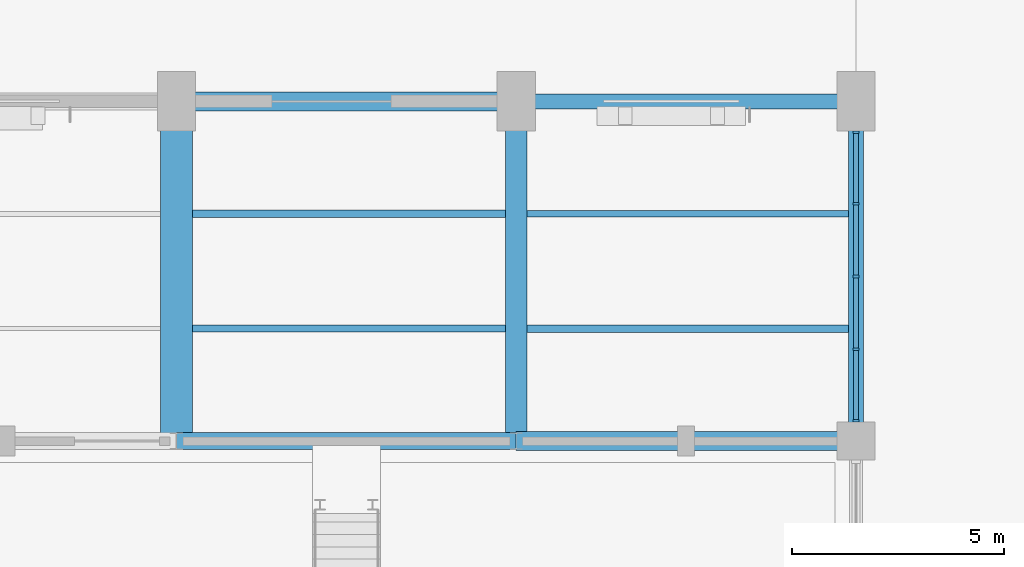
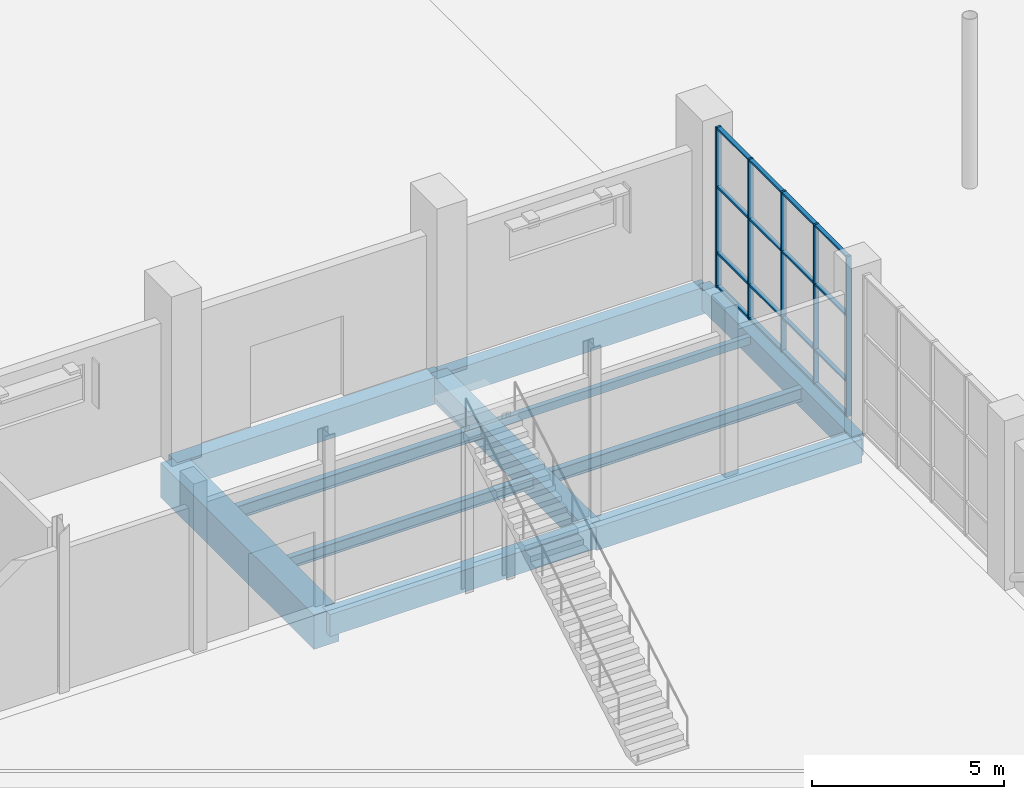
# One storey, part 25 of 123: 21 members, 11 beams, 1 element without a shape of its own.
"""IFC4 building model written with IfcOpenShell, lengths in metres."""

from ifc_helpers import new_model, si_unit, direction, frame, origin, origin_2d, place, context, subcontext, project, spatial, rectangle, hollow_rectangle, i_section, extrude, material, material_profile, profile_set, type_object, element, aggregate, save


model = new_model("IFC4")

# Units and contexts
model_context = context("Model", 3, precision=1e-05, world=origin(), true_north=direction((0.0, 1.0)))
body_context = subcontext(model_context, "Body", "Model", "MODEL_VIEW")
ifc_project = project(units=[si_unit("LENGTHUNIT", "METRE"), si_unit("AREAUNIT", "SQUARE_METRE"), si_unit("VOLUMEUNIT", "CUBIC_METRE"), si_unit("PLANEANGLEUNIT", "RADIAN"), si_unit("MASSUNIT", "GRAM", prefix="KILO")], contexts=[model_context])

# Site, building, storey
site_placement = place(None, origin())
site = spatial("IfcSite", under=ifc_project, at=site_placement, CompositionType="ELEMENT")
building_placement = place(site_placement, origin())
building = spatial("IfcBuilding", under=site, at=building_placement, Name="Tenunan Teduh Sports Hall", CompositionType="ELEMENT")
storey_placement = place(building_placement, origin())
storey = spatial("IfcBuildingStorey", under=building, at=storey_placement, Name="L00", CompositionType="ELEMENT", Elevation=0.0)

# Beams
ifc_material_1 = material(Name="Concrete C40/50", Category="concrete")
ifc_material_profile_1 = material_profile(ifc_material_1, rectangle(XDim=0.35009765625, YDim=0.699951171875, at=origin_2d()), Name="RCB 350x700")
ifc_profile_set_1 = profile_set([ifc_material_profile_1], Name="Concrete C40/50")
beam_type_1 = type_object("IfcBeamType", Name="BM-RC-350x700", PredefinedType="BEAM", material=ifc_profile_set_1)
beam_1_placement = place(storey_placement, frame((54.0, 38.0, -0.669921875), z_axis=(0.0, 1.0, 0.0), x_axis=(-1.0, 0.0, 0.0)))
element("IfcBeam", 1, at=beam_1_placement, inside=storey, type_object=beam_type_1, Name="BM-B-06-L00-0804", PredefinedType="BEAM", context=body_context, shape_type="SweptSolid", body=[
    extrude(rectangle(XDim=0.35009765625, YDim=0.699951171875, at=origin_2d()), origin(), (0.0, 0.0, 1.0), 8.0),
])
ifc_material_2 = material(Name="Concrete C40/50", Category="concrete")
ifc_material_profile_2 = material_profile(ifc_material_2, rectangle(XDim=0.39990234375, YDim=0.699951171875, at=origin_2d()), Name="RCB 400x700")
ifc_profile_set_2 = profile_set([ifc_material_profile_2], Name="Concrete C40/50")
beam_type_2 = type_object("IfcBeamType", Name="BM-RC-400x700", PredefinedType="BEAM", material=ifc_profile_set_2)
beam_2_placement = place(storey_placement, frame((38.0, 38.0, -0.669921875), z_axis=(1.0, 0.0, 0.0), x_axis=(0.0, 1.0, 0.0)))
element("IfcBeam", 2, at=beam_2_placement, inside=storey, type_object=beam_type_2, Name="BM-B-08-L00-0641", PredefinedType="BEAM", context=body_context, shape_type="SweptSolid", body=[
    extrude(rectangle(XDim=0.39990234375, YDim=0.699951171875, at=origin_2d()), origin(), (0.0, 0.0, 1.0), 8.0),
])
ifc_material_3 = material(Name="Concrete C40/50", Category="concrete")
ifc_material_profile_3 = material_profile(ifc_material_3, rectangle(XDim=0.449951171875, YDim=0.75, at=origin_2d()), Name="RCB 450x750")
ifc_profile_set_3 = profile_set([ifc_material_profile_3], Name="Concrete C40/50")
beam_type_3 = type_object("IfcBeamType", Name="BM-RC-450x750", PredefinedType="BEAM", material=ifc_profile_set_3)
beam_3_placement = place(storey_placement, frame((46.0, 38.0, -0.695068359375), z_axis=(1.0, 0.0, 0.0), x_axis=(0.0, 1.0, 0.0)))
element("IfcBeam", 3, at=beam_3_placement, inside=storey, type_object=beam_type_3, Name="BM-B-11-L00-0642", PredefinedType="BEAM", context=body_context, shape_type="SweptSolid", body=[
    extrude(rectangle(XDim=0.449951171875, YDim=0.75, at=origin_2d()), origin(), (0.0, 0.0, 1.0), 8.0),
])
ifc_material_4 = material(Name="Concrete C40/50", Category="concrete")
ifc_material_profile_4 = material_profile(ifc_material_4, rectangle(XDim=0.449951171875, YDim=0.85009765625, at=origin_2d()), Name="RCB 450x850")
ifc_profile_set_4 = profile_set([ifc_material_profile_4], Name="Concrete C40/50")
beam_type_4 = type_object("IfcBeamType", Name="BM-RC-450x850", PredefinedType="BEAM", material=ifc_profile_set_4)
beam_4_placement = place(storey_placement, frame((38.0, 46.0, -0.7451171875), z_axis=(1.0, 0.0, 0.0), x_axis=(0.0, 1.0, 0.0)))
element("IfcBeam", 4, at=beam_4_placement, inside=storey, type_object=beam_type_4, Name="BM-B-13-L00-0655", PredefinedType="BEAM", context=body_context, shape_type="SweptSolid", body=[
    extrude(rectangle(XDim=0.449951171875, YDim=0.85009765625, at=origin_2d()), origin(), (0.0, 0.0, 1.0), 8.0),
])
ifc_material_5 = material(Name="Concrete C40/50", Category="concrete")
ifc_material_profile_5 = material_profile(ifc_material_5, rectangle(XDim=0.5, YDim=0.800048828125, at=origin_2d()), Name="RCB 500x800")
ifc_profile_set_5 = profile_set([ifc_material_profile_5], Name="Concrete C40/50")
beam_type_5 = type_object("IfcBeamType", Name="BM-RC-500x800", PredefinedType="BEAM", material=ifc_profile_set_5)
beam_5_placement = place(storey_placement, frame((46.0, 38.0, -0.719970703125), z_axis=(0.0, 1.0, 0.0), x_axis=(-1.0, 0.0, 0.0)))
element("IfcBeam", 5, at=beam_5_placement, inside=storey, type_object=beam_type_5, Name="BM-B-14-L00-0795", PredefinedType="BEAM", context=body_context, shape_type="SweptSolid", body=[
    extrude(rectangle(XDim=0.5, YDim=0.800048828125, at=origin_2d()), origin(), (0.0, 0.0, 1.0), 8.0),
])
ifc_material_6 = material(Name="Concrete C40/50", Category="concrete")
ifc_material_profile_6 = material_profile(ifc_material_6, rectangle(XDim=0.75, YDim=1.10009765625, at=origin_2d()), Name="RCB 750x1100")
ifc_profile_set_6 = profile_set([ifc_material_profile_6], Name="Concrete C40/50")
beam_type_6 = type_object("IfcBeamType", Name="BM-RC-750x1100", PredefinedType="SPANDREL", material=ifc_profile_set_6)
beam_6_placement = place(storey_placement, frame((38.0, 38.0, -0.8701171875), z_axis=(0.0, 1.0, 0.0), x_axis=(-1.0, 0.0, 0.0)))
element("IfcBeam", 6, at=beam_6_placement, inside=storey, type_object=beam_type_6, Name="BM-B-20-L00-0789", PredefinedType="SPANDREL", context=body_context, shape_type="SweptSolid", body=[
    extrude(rectangle(XDim=0.75, YDim=1.10009765625, at=origin_2d()), origin(), (0.0, 0.0, 1.0), 8.0),
])
ifc_material_7 = material(Name="Concrete C40/50", Category="concrete")
ifc_material_profile_7 = material_profile(ifc_material_7, rectangle(XDim=0.35009765625, YDim=0.85009765625, at=origin_2d()), Name="SPB 350x850")
ifc_profile_set_7 = profile_set([ifc_material_profile_7], Name="Concrete C40/50")
beam_type_7 = type_object("IfcBeamType", Name="BM-SP-350x850", PredefinedType="SPANDREL", material=ifc_profile_set_7)
beam_7_placement = place(storey_placement, frame((46.0, 46.0, -0.7451171875), z_axis=(1.0, 0.0, 0.0), x_axis=(0.0, 1.0, 0.0)))
element("IfcBeam", 7, at=beam_7_placement, inside=storey, type_object=beam_type_7, Name="BM-SP-02-L00-0656", PredefinedType="SPANDREL", context=body_context, shape_type="SweptSolid", body=[
    extrude(rectangle(XDim=0.35009765625, YDim=0.85009765625, at=origin_2d()), origin(), (0.0, 0.0, 1.0), 8.0),
])

# Curtain wall, members
ifc_material_8 = material(Name="Anodised aluminium", Category="aluminium")
curtain_wall_type = type_object("IfcCurtainWallType", Name="CW-UNIT-2", PredefinedType="NOTDEFINED", material=ifc_material_8)
curtain_wall_placement = place(storey_placement, origin())
curtain_wall = element("IfcCurtainWall", 8, at=curtain_wall_placement, inside=storey, type_object=curtain_wall_type, Name="CW-CWM-150-L00-039", PredefinedType="NOTDEFINED")
ifc_material_9 = material(Name="Anodised aluminium", Category="aluminium")
ifc_material_profile_8 = material_profile(ifc_material_9, rectangle(XDim=0.06005859375, YDim=0.14990234375, at=origin_2d()), Name="CWM 60x150")
ifc_profile_set_8 = profile_set([ifc_material_profile_8], Name="Anodised aluminium")
member_type_1 = type_object("IfcMemberType", Name="CWM-150", PredefinedType="MULLION", material=ifc_profile_set_8)
member_1_placement = place(storey_placement, frame((54.0, 38.47998046875, 0.0), z_axis=(0.0, 0.0, 1.0), x_axis=(0.0, 1.0, 0.0)))
member_1 = element("IfcMember", 9, at=member_1_placement, type_object=member_type_1, Name="CW-02 mullion 1", PredefinedType="MULLION", context=body_context, shape_type="SweptSolid", body=[
    extrude(rectangle(XDim=0.06005859375, YDim=0.14990234375, at=origin_2d()), origin(), (0.0, 0.0, 1.0), 5.10009765625),
])
member_2_placement = place(storey_placement, frame((54.0, 40.16259765625, 0.0), z_axis=(0.0, 0.0, 1.0), x_axis=(0.0, 1.0, 0.0)))
member_2 = element("IfcMember", 10, at=member_2_placement, type_object=member_type_1, Name="CW-02 mullion 2", PredefinedType="MULLION", context=body_context, shape_type="SweptSolid", body=[
    extrude(rectangle(XDim=0.06005859375, YDim=0.14990234375, at=origin_2d()), origin(), (0.0, 0.0, 1.0), 5.10009765625),
])
member_3_placement = place(storey_placement, frame((54.0, 41.875, 0.0), z_axis=(0.0, 0.0, 1.0), x_axis=(0.0, 1.0, 0.0)))
member_3 = element("IfcMember", 11, at=member_3_placement, type_object=member_type_1, Name="CW-02 mullion 3", PredefinedType="MULLION", context=body_context, shape_type="SweptSolid", body=[
    extrude(rectangle(XDim=0.06005859375, YDim=0.14990234375, at=origin_2d()), origin(), (0.0, 0.0, 1.0), 5.10009765625),
])
member_4_placement = place(storey_placement, frame((54.0, 43.58740234375, 0.0), z_axis=(0.0, 0.0, 1.0), x_axis=(0.0, 1.0, 0.0)))
member_4 = element("IfcMember", 12, at=member_4_placement, type_object=member_type_1, Name="CW-02 mullion 4", PredefinedType="MULLION", context=body_context, shape_type="SweptSolid", body=[
    extrude(rectangle(XDim=0.06005859375, YDim=0.14990234375, at=origin_2d()), origin(), (0.0, 0.0, 1.0), 5.10009765625),
])
member_5_placement = place(storey_placement, frame((54.0, 45.27001953125, 0.0), z_axis=(0.0, 0.0, 1.0), x_axis=(0.0, 1.0, 0.0)))
member_5 = element("IfcMember", 13, at=member_5_placement, type_object=member_type_1, Name="CW-02 mullion 5", PredefinedType="MULLION", context=body_context, shape_type="SweptSolid", body=[
    extrude(rectangle(XDim=0.06005859375, YDim=0.14990234375, at=origin_2d()), origin(), (0.0, 0.0, 1.0), 5.10009765625),
])
ifc_material_10 = material(Name="Anodised aluminium", Category="aluminium")
ifc_material_profile_9 = material_profile(ifc_material_10, rectangle(XDim=0.06005859375, YDim=0.1201171875, at=origin_2d()), Name="CWT 60x120")
ifc_profile_set_9 = profile_set([ifc_material_profile_9], Name="Anodised aluminium")
member_type_2 = type_object("IfcMemberType", Name="CWT-125", PredefinedType="USERDEFINED", material=ifc_profile_set_9)
member_6_placement = place(storey_placement, frame((54.0, 38.510009765625, 0.030029296875), z_axis=(0.0, 1.0, 0.0), x_axis=(0.0, 0.0, 1.0)))
member_6 = element("IfcMember", 14, at=member_6_placement, type_object=member_type_2, Name="CW-02 transom 1.1", ObjectType="TRANSOM", PredefinedType="USERDEFINED", context=body_context, shape_type="SweptSolid", body=[
    extrude(rectangle(XDim=0.06005859375, YDim=0.1201171875, at=origin_2d()), origin(), (0.0, 0.0, 1.0), 1.62255859375),
])
member_7_placement = place(storey_placement, frame((54.0, 38.510009765625, 1.10009765625), z_axis=(0.0, 1.0, 0.0), x_axis=(0.0, 0.0, 1.0)))
member_7 = element("IfcMember", 15, at=member_7_placement, type_object=member_type_2, Name="CW-02 transom 1.2", ObjectType="TRANSOM", PredefinedType="USERDEFINED", context=body_context, shape_type="SweptSolid", body=[
    extrude(rectangle(XDim=0.06005859375, YDim=0.1201171875, at=origin_2d()), origin(), (0.0, 0.0, 1.0), 1.62255859375),
])
member_8_placement = place(storey_placement, frame((54.0, 38.510009765625, 3.199951171875), z_axis=(0.0, 1.0, 0.0), x_axis=(0.0, 0.0, 1.0)))
member_8 = element("IfcMember", 16, at=member_8_placement, type_object=member_type_2, Name="CW-02 transom 1.3", ObjectType="TRANSOM", PredefinedType="USERDEFINED", context=body_context, shape_type="SweptSolid", body=[
    extrude(rectangle(XDim=0.06005859375, YDim=0.1201171875, at=origin_2d()), origin(), (0.0, 0.0, 1.0), 1.62255859375),
])
member_9_placement = place(storey_placement, frame((54.0, 38.510009765625, 5.070068359375), z_axis=(0.0, 1.0, 0.0), x_axis=(0.0, 0.0, 1.0)))
member_9 = element("IfcMember", 17, at=member_9_placement, type_object=member_type_2, Name="CW-02 transom 1.4", ObjectType="TRANSOM", PredefinedType="USERDEFINED", context=body_context, shape_type="SweptSolid", body=[
    extrude(rectangle(XDim=0.06005859375, YDim=0.1201171875, at=origin_2d()), origin(), (0.0, 0.0, 1.0), 1.62255859375),
])
member_10_placement = place(storey_placement, frame((54.0, 40.1923828125, 0.030029296875), z_axis=(0.0, 1.0, 0.0), x_axis=(0.0, 0.0, 1.0)))
member_10 = element("IfcMember", 18, at=member_10_placement, type_object=member_type_2, Name="CW-02 transom 2.1", ObjectType="TRANSOM", PredefinedType="USERDEFINED", context=body_context, shape_type="SweptSolid", body=[
    extrude(rectangle(XDim=0.06005859375, YDim=0.1201171875, at=origin_2d()), origin(), (0.0, 0.0, 1.0), 1.652587890625),
])
member_11_placement = place(storey_placement, frame((54.0, 40.1923828125, 1.10009765625), z_axis=(0.0, 1.0, 0.0), x_axis=(0.0, 0.0, 1.0)))
member_11 = element("IfcMember", 19, at=member_11_placement, type_object=member_type_2, Name="CW-02 transom 2.2", ObjectType="TRANSOM", PredefinedType="USERDEFINED", context=body_context, shape_type="SweptSolid", body=[
    extrude(rectangle(XDim=0.06005859375, YDim=0.1201171875, at=origin_2d()), origin(), (0.0, 0.0, 1.0), 1.652587890625),
])
member_12_placement = place(storey_placement, frame((54.0, 40.1923828125, 3.199951171875), z_axis=(0.0, 1.0, 0.0), x_axis=(0.0, 0.0, 1.0)))
member_12 = element("IfcMember", 20, at=member_12_placement, type_object=member_type_2, Name="CW-02 transom 2.3", ObjectType="TRANSOM", PredefinedType="USERDEFINED", context=body_context, shape_type="SweptSolid", body=[
    extrude(rectangle(XDim=0.06005859375, YDim=0.1201171875, at=origin_2d()), origin(), (0.0, 0.0, 1.0), 1.652587890625),
])
member_13_placement = place(storey_placement, frame((54.0, 40.1923828125, 5.070068359375), z_axis=(0.0, 1.0, 0.0), x_axis=(0.0, 0.0, 1.0)))
member_13 = element("IfcMember", 21, at=member_13_placement, type_object=member_type_2, Name="CW-02 transom 2.4", ObjectType="TRANSOM", PredefinedType="USERDEFINED", context=body_context, shape_type="SweptSolid", body=[
    extrude(rectangle(XDim=0.06005859375, YDim=0.1201171875, at=origin_2d()), origin(), (0.0, 0.0, 1.0), 1.652587890625),
])
member_14_placement = place(storey_placement, frame((54.0, 41.905029296875, 0.030029296875), z_axis=(0.0, 1.0, 0.0), x_axis=(0.0, 0.0, 1.0)))
member_14 = element("IfcMember", 22, at=member_14_placement, type_object=member_type_2, Name="CW-02 transom 3.1", ObjectType="TRANSOM", PredefinedType="USERDEFINED", context=body_context, shape_type="SweptSolid", body=[
    extrude(rectangle(XDim=0.06005859375, YDim=0.1201171875, at=origin_2d()), origin(), (0.0, 0.0, 1.0), 1.652587890625),
])
member_15_placement = place(storey_placement, frame((54.0, 41.905029296875, 1.10009765625), z_axis=(0.0, 1.0, 0.0), x_axis=(0.0, 0.0, 1.0)))
member_15 = element("IfcMember", 23, at=member_15_placement, type_object=member_type_2, Name="CW-02 transom 3.2", ObjectType="TRANSOM", PredefinedType="USERDEFINED", context=body_context, shape_type="SweptSolid", body=[
    extrude(rectangle(XDim=0.06005859375, YDim=0.1201171875, at=origin_2d()), origin(), (0.0, 0.0, 1.0), 1.652587890625),
])
member_16_placement = place(storey_placement, frame((54.0, 41.905029296875, 3.199951171875), z_axis=(0.0, 1.0, 0.0), x_axis=(0.0, 0.0, 1.0)))
member_16 = element("IfcMember", 24, at=member_16_placement, type_object=member_type_2, Name="CW-02 transom 3.3", ObjectType="TRANSOM", PredefinedType="USERDEFINED", context=body_context, shape_type="SweptSolid", body=[
    extrude(rectangle(XDim=0.06005859375, YDim=0.1201171875, at=origin_2d()), origin(), (0.0, 0.0, 1.0), 1.652587890625),
])
member_17_placement = place(storey_placement, frame((54.0, 41.905029296875, 5.070068359375), z_axis=(0.0, 1.0, 0.0), x_axis=(0.0, 0.0, 1.0)))
member_17 = element("IfcMember", 25, at=member_17_placement, type_object=member_type_2, Name="CW-02 transom 3.4", ObjectType="TRANSOM", PredefinedType="USERDEFINED", context=body_context, shape_type="SweptSolid", body=[
    extrude(rectangle(XDim=0.06005859375, YDim=0.1201171875, at=origin_2d()), origin(), (0.0, 0.0, 1.0), 1.652587890625),
])
member_18_placement = place(storey_placement, frame((54.0, 43.617431640625, 0.030029296875), z_axis=(0.0, 1.0, 0.0), x_axis=(0.0, 0.0, 1.0)))
member_18 = element("IfcMember", 26, at=member_18_placement, type_object=member_type_2, Name="CW-02 transom 4.1", ObjectType="TRANSOM", PredefinedType="USERDEFINED", context=body_context, shape_type="SweptSolid", body=[
    extrude(rectangle(XDim=0.06005859375, YDim=0.1201171875, at=origin_2d()), origin(), (0.0, 0.0, 1.0), 1.62255859375),
])
member_19_placement = place(storey_placement, frame((54.0, 43.617431640625, 1.10009765625), z_axis=(0.0, 1.0, 0.0), x_axis=(0.0, 0.0, 1.0)))
member_19 = element("IfcMember", 27, at=member_19_placement, type_object=member_type_2, Name="CW-02 transom 4.2", ObjectType="TRANSOM", PredefinedType="USERDEFINED", context=body_context, shape_type="SweptSolid", body=[
    extrude(rectangle(XDim=0.06005859375, YDim=0.1201171875, at=origin_2d()), origin(), (0.0, 0.0, 1.0), 1.62255859375),
])
member_20_placement = place(storey_placement, frame((54.0, 43.617431640625, 3.199951171875), z_axis=(0.0, 1.0, 0.0), x_axis=(0.0, 0.0, 1.0)))
member_20 = element("IfcMember", 28, at=member_20_placement, type_object=member_type_2, Name="CW-02 transom 4.3", ObjectType="TRANSOM", PredefinedType="USERDEFINED", context=body_context, shape_type="SweptSolid", body=[
    extrude(rectangle(XDim=0.06005859375, YDim=0.1201171875, at=origin_2d()), origin(), (0.0, 0.0, 1.0), 1.62255859375),
])
member_21_placement = place(storey_placement, frame((54.0, 43.617431640625, 5.070068359375), z_axis=(0.0, 1.0, 0.0), x_axis=(0.0, 0.0, 1.0)))
member_21 = element("IfcMember", 29, at=member_21_placement, type_object=member_type_2, Name="CW-02 transom 4.4", ObjectType="TRANSOM", PredefinedType="USERDEFINED", context=body_context, shape_type="SweptSolid", body=[
    extrude(rectangle(XDim=0.06005859375, YDim=0.1201171875, at=origin_2d()), origin(), (0.0, 0.0, 1.0), 1.62255859375),
])
aggregate(curtain_wall, [member_1, member_2, member_3, member_4, member_5, member_6, member_7, member_8, member_9, member_10, member_11, member_12, member_13, member_14, member_15, member_16, member_17, member_18, member_19, member_20, member_21])

# Beams
ifc_material_11 = material(Name="Steel S355", Category="steel")
ifc_material_profile_10 = material_profile(ifc_material_11, hollow_rectangle(XDim=0.14990234375, YDim=0.25, WallThickness=0.010009765625, at=origin_2d()), Name="RHS 250x150x10.0")
ifc_profile_set_10 = profile_set([ifc_material_profile_10], Name="Steel S355")
beam_type_8 = type_object("IfcBeamType", Name="RBM-RHS250", PredefinedType="BEAM", material=ifc_profile_set_10)
beam_8_placement = place(storey_placement, frame((46.25, 43.35009765625, -0.445068359375), z_axis=(1.0, 0.0, 0.0), x_axis=(0.0, 1.0, 0.0)))
element("IfcBeam", 30, at=beam_8_placement, inside=storey, type_object=beam_type_8, Name="Perimeter Ring Beam BM-RB-04-L00-0945", PredefinedType="BEAM", context=body_context, shape_type="SweptSolid", body=[
    extrude(hollow_rectangle(XDim=0.14990234375, YDim=0.25, WallThickness=0.010009765625, at=origin_2d()), origin(), (0.0, 0.0, 1.0), 7.574951171875),
])
ifc_material_12 = material(Name="Steel S355", Category="steel")
ifc_material_profile_11 = material_profile(ifc_material_12, i_section(OverallWidth=0.17138671875, OverallDepth=0.35498046875, WebThickness=0.00732421875, FlangeThickness=0.011474609375, FilletRadius=0.01025390625, at=origin_2d()), Name="UKB 356x171x51")
ifc_profile_set_11 = profile_set([ifc_material_profile_11], Name="Steel S355")
beam_type_9 = type_object("IfcBeamType", Name="SBM-UKB356", PredefinedType="BEAM", material=ifc_profile_set_11)
beam_9_placement = place(storey_placement, frame((38.375, 40.64990234375, -0.49755859375), z_axis=(1.0, 0.0, 0.0), x_axis=(0.0, 1.0, 0.0)))
element("IfcBeam", 31, at=beam_9_placement, inside=storey, type_object=beam_type_9, Name="BM-SB-02-L00-0932", PredefinedType="BEAM", context=body_context, shape_type="SweptSolid", body=[
    extrude(i_section(OverallWidth=0.17138671875, OverallDepth=0.35498046875, WebThickness=0.00732421875, FlangeThickness=0.011474609375, FilletRadius=0.01025390625, at=origin_2d()), origin(), (0.0, 0.0, 1.0), 7.375),
])
ifc_material_13 = material(Name="Steel S355", Category="steel")
ifc_material_profile_12 = material_profile(ifc_material_13, i_section(OverallWidth=0.177978515625, OverallDepth=0.406494140625, WebThickness=0.0078125, FlangeThickness=0.0126953125, FilletRadius=0.01025390625, at=origin_2d()), Name="UKB 406x178x60")
ifc_profile_set_12 = profile_set([ifc_material_profile_12], Name="Steel S355")
beam_type_10 = type_object("IfcBeamType", Name="SBM-UKB406", PredefinedType="BEAM", material=ifc_profile_set_12)
beam_10_placement = place(storey_placement, frame((38.375, 43.35009765625, -0.523193359375), z_axis=(1.0, 0.0, 0.0), x_axis=(0.0, 1.0, 0.0)))
element("IfcBeam", 32, at=beam_10_placement, inside=storey, type_object=beam_type_10, Name="BM-SB-03-L00-0933", PredefinedType="BEAM", context=body_context, shape_type="SweptSolid", body=[
    extrude(i_section(OverallWidth=0.177978515625, OverallDepth=0.406494140625, WebThickness=0.0078125, FlangeThickness=0.0126953125, FilletRadius=0.01025390625, at=origin_2d()), origin(), (0.0, 0.0, 1.0), 7.375),
])
beam_11_placement = place(storey_placement, frame((46.25, 40.64990234375, -0.523193359375), z_axis=(1.0, 0.0, 0.0), x_axis=(0.0, 1.0, 0.0)))
element("IfcBeam", 33, at=beam_11_placement, inside=storey, type_object=beam_type_10, Name="BM-SB-03-L00-0944", PredefinedType="BEAM", context=body_context, shape_type="SweptSolid", body=[
    extrude(i_section(OverallWidth=0.177978515625, OverallDepth=0.406494140625, WebThickness=0.0078125, FlangeThickness=0.0126953125, FilletRadius=0.01025390625, at=origin_2d()), origin(), (0.0, 0.0, 1.0), 7.574951171875),
])

save(model, "model.ifc")
